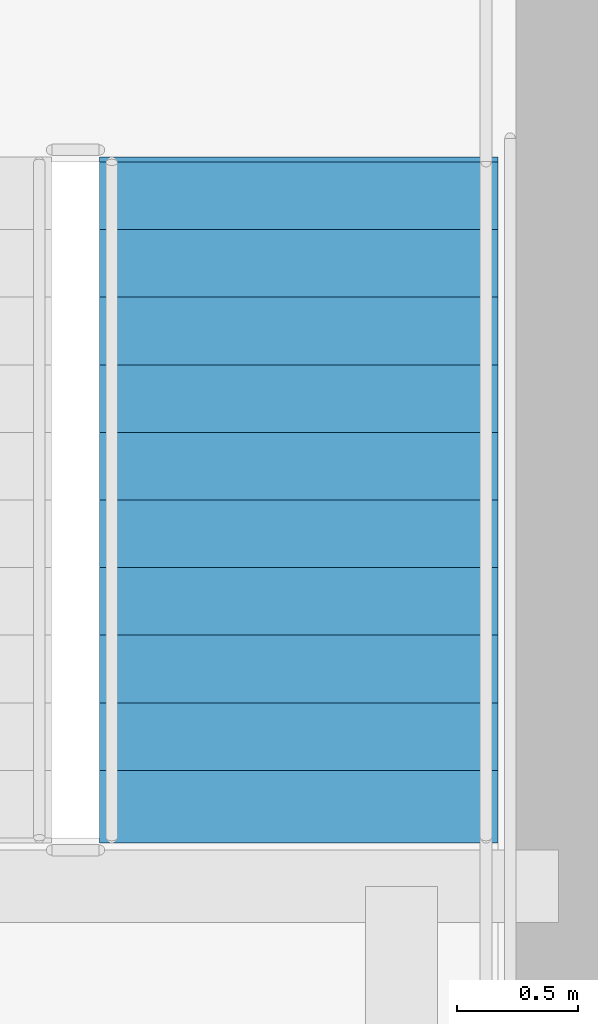
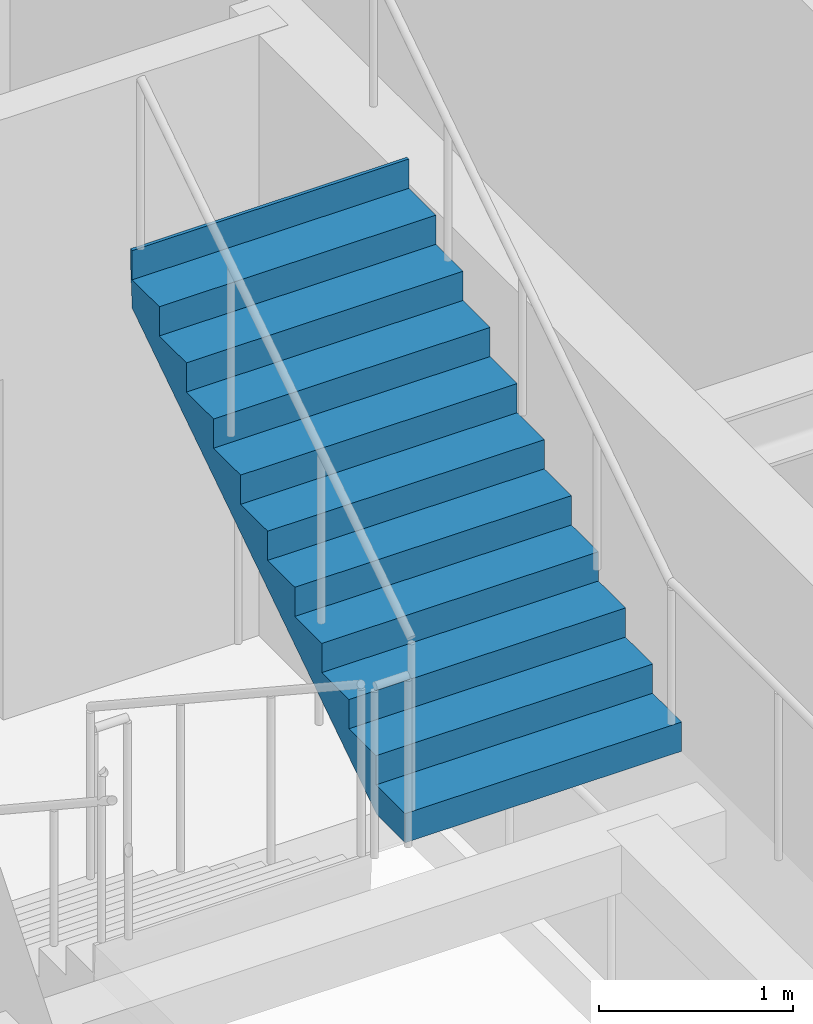
# One storey, part 32 of 37: 1 stair flight, 1 element without a shape of its own.
"""IFC4 building model written with IfcOpenShell, lengths in metres."""

import ifcopenshell
import ifcopenshell.guid

model = None  # the IFC model being written
_history = None  # IfcOwnerHistory: only IFC2X3 demands one
_inside = {}  # id of a spatial element -> (the spatial element, [elements in it])
_under = {}  # id of a project, library or spatial element -> (it, [spatial elements below it])
_declared = {}  # id of a project -> (the project, [libraries it declares])
_typed = {}  # id of a type object -> (the type object, [elements of that type])
_made_of = {}  # id of a material, layer set ... -> (it, [elements and type objects made of it])


def new_model(schema):
    """Start an empty IFC model of exactly this schema.

    Asked for "IFC4X3", IfcOpenShell would pick the latest addendum, in which some entities
    have other attributes; the version numbers below select the first issue.
    IFC2X3 requires an IfcOwnerHistory on every rooted entity: one is made here for all.
    """
    global model, _history
    if schema == "IFC4X3":
        model = ifcopenshell.file(schema_version=(4, 3, 0, 0))
    else:
        model = ifcopenshell.file(schema=schema)
    _inside.clear()
    _under.clear()
    _declared.clear()
    _typed.clear()
    _made_of.clear()
    _history = None
    if model.schema == "IFC2X3":
        org = make("IfcOrganization", Name="unknown")
        user = make(
            "IfcPersonAndOrganization",
            ThePerson=make("IfcPerson", FamilyName="unknown"),
            TheOrganization=org,
        )
        app = make(
            "IfcApplication",
            ApplicationDeveloper=org,
            Version="unknown",
            ApplicationFullName="unknown",
            ApplicationIdentifier="unknown",
        )
        _history = make(
            "IfcOwnerHistory",
            OwningUser=user,
            OwningApplication=app,
            ChangeAction="ADDED",
            CreationDate=0,
        )
    return model


def make(cls, **values):
    """One entity of the class cls with the attributes given. An attribute that is None is left unset."""
    return model.create_entity(
        cls, **{name: value for name, value in values.items() if value is not None}
    )


def rooted(cls, **values):
    """An entity with a GlobalId (a new one), such as an element, a storey or a relation."""
    return make(cls, GlobalId=ifcopenshell.guid.new(), OwnerHistory=_history, **values)


def si_unit(unit_type, name, prefix=None):
    """IfcSIUnit, for example si_unit("LENGTHUNIT", "METRE", prefix="MILLI")."""
    return make("IfcSIUnit", UnitType=unit_type, Prefix=prefix, Name=name)


def assignment(units):
    """IfcUnitAssignment: the units of a project."""
    return None if units is None else make("IfcUnitAssignment", Units=units)


def point(xyz):
    """IfcCartesianPoint."""
    return None if xyz is None else make("IfcCartesianPoint", Coordinates=xyz)


def direction(xyz):
    """IfcDirection."""
    return None if xyz is None else make("IfcDirection", DirectionRatios=xyz)


def frame(location, z_axis=None, x_axis=None):
    """IfcAxis2Placement3D, a coordinate frame: its origin and axes. An axis left out is left unset."""
    return make(
        "IfcAxis2Placement3D",
        Location=point(location),
        Axis=direction(z_axis),
        RefDirection=direction(x_axis),
    )


def origin():
    """The frame at (0, 0, 0) with its axes left unset."""
    return frame((0.0, 0.0, 0.0))


def place(relative_to, where):
    """IfcLocalPlacement: puts the frame where relative to a parent placement (None: the world)."""
    return make(
        "IfcLocalPlacement", PlacementRelTo=relative_to, RelativePlacement=where
    )


def context(
    kind, dimensions, precision=None, world=None, true_north=None, identifier=None
):
    """IfcGeometricRepresentationContext, for example the 3D "Model" context."""
    return make(
        "IfcGeometricRepresentationContext",
        ContextIdentifier=identifier,
        ContextType=kind,
        CoordinateSpaceDimension=dimensions,
        Precision=precision,
        WorldCoordinateSystem=world,
        TrueNorth=true_north,
    )


def subcontext(parent, identifier, kind, view, scale=None):
    """IfcGeometricRepresentationSubContext, for example "Body" below "Model"."""
    return make(
        "IfcGeometricRepresentationSubContext",
        ContextIdentifier=identifier,
        ContextType=kind,
        ParentContext=parent,
        TargetScale=scale,
        TargetView=view,
    )


def project(units=None, contexts=None):
    """IfcProject with its units and contexts."""
    return rooted(
        "IfcProject",
        Name="project",
        RepresentationContexts=contexts,
        UnitsInContext=assignment(units),
    )


def spatial(cls, under=None, at=None, **own):
    """A site, building, storey or space (cls), placed at a placement, below another one or the project."""
    s = rooted(cls, ObjectPlacement=at, **own)
    if under is not None:
        _under.setdefault(under.id(), (under, []))[1].append(s)
    return s


def point_list(points):
    """IfcCartesianPointList2D or 3D."""
    cls = (
        "IfcCartesianPointList2D" if len(points[0]) == 2 else "IfcCartesianPointList3D"
    )
    return make(cls, CoordList=points)


def polygons(points, faces, closed=None, point_numbers=None):
    """IfcPolygonalFaceSet: a face is its outer loop, then its inner loops; points numbered from 1."""
    made = []
    for loops in faces:
        if len(loops) == 1:
            made.append(make("IfcIndexedPolygonalFace", CoordIndex=loops[0]))
        else:
            made.append(
                make(
                    "IfcIndexedPolygonalFaceWithVoids",
                    CoordIndex=loops[0],
                    InnerCoordIndices=loops[1:],
                )
            )
    return make(
        "IfcPolygonalFaceSet",
        Coordinates=point_list(points),
        Closed=closed,
        Faces=made,
        PnIndex=point_numbers,
    )


def shape(context_of_items, identifier, shape_type, items):
    """IfcShapeRepresentation: the items that make up one representation, for example the "Body"."""
    return make(
        "IfcShapeRepresentation",
        ContextOfItems=context_of_items,
        RepresentationIdentifier=identifier,
        RepresentationType=shape_type,
        Items=items,
    )


def material(Name=None, Category=None):
    """IfcMaterial."""
    return make("IfcMaterial", Name=Name, Category=Category)


def made_of(thing, what):
    """Note that an element or type object is made of a material, layer set ...; save() writes the relation."""
    if what is not None:
        _made_of.setdefault(what.id(), (what, []))[1].append(thing)
    return thing


def type_object(cls, material=None, **own):
    """A type object (cls), such as IfcWallType, which elements share."""
    return made_of(rooted(cls, **own), material)


def element(
    cls,
    number,
    at=None,
    inside=None,
    cuts=None,
    type_object=None,
    material=None,
    context=None,
    identifier="Body",
    shape_type=None,
    held_by="IfcProductDefinitionShape",
    body=None,
    shapes=None,
    **own,
):
    """One element of the class cls, such as IfcWall. Its Tag is "e" and its number.

    at: its placement. inside: the storey or other place that contains it. cuts: it is an
    opening in that element (IfcRelVoidsElement). A single representation is given by context,
    identifier, shape_type and body (its items); several are given by shapes. held_by: the class
    of the entity that holds the representations. save() writes the other relations.
    """
    e = rooted(cls, Tag="e%d" % number, ObjectPlacement=at, **own)
    if body is not None:
        shapes = [shape(context, identifier, shape_type, body)]
    if shapes is not None:
        e.Representation = make(held_by, Representations=shapes)
    if inside is not None:
        _inside.setdefault(inside.id(), (inside, []))[1].append(e)
    if cuts is not None:
        rooted(
            "IfcRelVoidsElement", RelatingBuildingElement=cuts, RelatedOpeningElement=e
        )
    if type_object is not None:
        _typed.setdefault(type_object.id(), (type_object, []))[1].append(e)
    return made_of(e, material)


def aggregate(whole, parts):
    """IfcRelAggregates: a whole, such as a stair, and the parts it consists of."""
    return rooted("IfcRelAggregates", RelatingObject=whole, RelatedObjects=parts)


def save(model, path):
    """Write the relations noted so far, then the file.

    IfcRelAggregates (storeys below a building ...), IfcRelContainedInSpatialStructure (elements
    in a storey), IfcRelDefinesByType, IfcRelAssociatesMaterial and IfcRelDeclares: one each for
    every whole, place, type object, material and project.
    """
    for whole, parts in _under.values():
        aggregate(whole, parts)
    for where, things in _inside.values():
        rooted(
            "IfcRelContainedInSpatialStructure",
            RelatedElements=things,
            RelatingStructure=where,
        )
    for kind, things in _typed.values():
        rooted("IfcRelDefinesByType", RelatedObjects=things, RelatingType=kind)
    for what, things in _made_of.values():
        rooted("IfcRelAssociatesMaterial", RelatedObjects=things, RelatingMaterial=what)
    for by, libraries in _declared.values():
        rooted("IfcRelDeclares", RelatingContext=by, RelatedDefinitions=libraries)
    model.write(path)


model = new_model("IFC4")

# Units and contexts
model_context = context("Model", 3, precision=1e-05, world=origin(), true_north=direction((0.0, 1.0)))
body_context = subcontext(model_context, "Body", "Model", "MODEL_VIEW")
ifc_project = project(units=[si_unit("LENGTHUNIT", "METRE"), si_unit("AREAUNIT", "SQUARE_METRE"), si_unit("VOLUMEUNIT", "CUBIC_METRE"), si_unit("PLANEANGLEUNIT", "RADIAN"), si_unit("MASSUNIT", "GRAM", prefix="KILO")], contexts=[model_context])

# Site, building, storey
site_placement = place(None, origin())
site = spatial("IfcSite", under=ifc_project, at=site_placement, CompositionType="ELEMENT")
building_placement = place(site_placement, origin())
building = spatial("IfcBuilding", under=site, at=building_placement, Name="Serunith Strait Residences", CompositionType="ELEMENT")
storey_placement = place(building_placement, frame((0.0, 0.0, 305.60009765625)))
storey = spatial("IfcBuildingStorey", under=building, at=storey_placement, Name="L76", CompositionType="ELEMENT", Elevation=305.60009765625)

# Stair, stair flight
ifc_material = material(Name="Concrete C50/60", Category="concrete")
stair_type = type_object("IfcStairType", Name="STR-CORE-2", PredefinedType="HALF_TURN_STAIR", material=ifc_material)
stair_placement = place(storey_placement, origin())
stair = element("IfcStair", 1, at=stair_placement, inside=storey, type_object=stair_type, Name="L76 Protected Escape Stair ST-2", PredefinedType="HALF_TURN_STAIR")
stair_flight_type = type_object("IfcStairFlightType", Name="FLT-CORE-2", PredefinedType="STRAIGHT", material=ifc_material)
stair_flight_placement = place(storey_placement, frame((40.324951171875, 20.570068359375, 2.02490234375), z_axis=(0.0, 0.0, 1.0), x_axis=(0.0, 1.0, 0.0)))
stair_flight = element("IfcStairFlight", 2, at=stair_flight_placement, type_object=stair_flight_type, Name="ST-2 flight 2", NumberOfRisers=11, NumberOfTreads=10, PredefinedType="STRAIGHT", RiserHeight=0.184090909, TreadLength=0.28, context=body_context, shape_type="Tessellation", body=[
    polygons([(-0.02001953125, -0.824951171875, 0.0), (-0.02001953125, -0.824951171875, 0.18408203125), (0.280029296875, -0.824951171875, 0.18408203125), (0.280029296875, -0.824951171875, 0.3681640625), (0.56005859375, -0.824951171875, 0.3681640625), (0.56005859375, -0.824951171875, 0.55224609375), (0.840087890625, -0.824951171875, 0.55224609375), (0.840087890625, -0.824951171875, 0.736328125), (1.1201171875, -0.824951171875, 0.736328125), (1.1201171875, -0.824951171875, 0.92041015625), (1.39990234375, -0.824951171875, 0.92041015625), (1.39990234375, -0.824951171875, 1.1044921875), (1.679931640625, -0.824951171875, 1.1044921875), (1.679931640625, -0.824951171875, 1.28857421875), (1.9599609375, -0.824951171875, 1.28857421875), (1.9599609375, -0.824951171875, 1.47265625), (2.239990234375, -0.824951171875, 1.47265625), (2.239990234375, -0.824951171875, 1.65673828125), (2.52001953125, -0.824951171875, 1.65673828125), (2.52001953125, -0.824951171875, 1.8408203125), (2.800048828125, -0.824951171875, 1.8408203125), (2.800048828125, -0.824951171875, 2.02490234375), (2.820068359375, -0.824951171875, 2.02490234375), (2.820068359375, -0.824951171875, 1.965087890625), (2.800048828125, -0.824951171875, 1.66162109375), (0.27294921875, -0.824951171875, 0.0), (-0.02001953125, -0.41259765625, 0.0), (-0.02001953125, -0.41259765625, 0.18408203125), (0.280029296875, -0.41259765625, 0.18408203125), (0.280029296875, -0.41259765625, 0.3681640625), (0.56005859375, -0.41259765625, 0.3681640625), (0.56005859375, -0.41259765625, 0.55224609375), (0.840087890625, -0.41259765625, 0.55224609375), (0.840087890625, -0.41259765625, 0.736328125), (1.1201171875, -0.41259765625, 0.736328125), (1.1201171875, -0.41259765625, 0.92041015625), (1.39990234375, -0.41259765625, 0.92041015625), (1.39990234375, -0.41259765625, 1.1044921875), (1.679931640625, -0.41259765625, 1.1044921875), (1.679931640625, -0.41259765625, 1.28857421875), (1.9599609375, -0.41259765625, 1.28857421875), (1.9599609375, -0.41259765625, 1.47265625), (2.239990234375, -0.41259765625, 1.47265625), (2.239990234375, -0.41259765625, 1.65673828125), (2.52001953125, -0.41259765625, 1.65673828125), (2.52001953125, -0.41259765625, 1.8408203125), (2.800048828125, -0.41259765625, 1.8408203125), (2.800048828125, -0.41259765625, 2.02490234375), (2.820068359375, -0.41259765625, 2.02490234375), (2.820068359375, -0.41259765625, 1.965087890625), (2.800048828125, -0.41259765625, 1.66162109375), (0.27294921875, -0.41259765625, 0.0), (-0.02001953125, 0.0, 0.0), (-0.02001953125, 0.0, 0.18408203125), (0.280029296875, 0.0, 0.18408203125), (0.280029296875, 0.0, 0.3681640625), (0.56005859375, 0.0, 0.3681640625), (0.56005859375, 0.0, 0.55224609375), (0.840087890625, 0.0, 0.55224609375), (0.840087890625, 0.0, 0.736328125), (1.1201171875, 0.0, 0.736328125), (1.1201171875, 0.0, 0.92041015625), (1.39990234375, 0.0, 0.92041015625), (1.39990234375, 0.0, 1.1044921875), (1.679931640625, 0.0, 1.1044921875), (1.679931640625, 0.0, 1.28857421875), (1.9599609375, 0.0, 1.28857421875), (1.9599609375, 0.0, 1.47265625), (2.239990234375, 0.0, 1.47265625), (2.239990234375, 0.0, 1.65673828125), (2.52001953125, 0.0, 1.65673828125), (2.52001953125, 0.0, 1.8408203125), (2.800048828125, 0.0, 1.8408203125), (2.800048828125, 0.0, 2.02490234375), (2.820068359375, 0.0, 2.02490234375), (2.820068359375, 0.0, 1.965087890625), (2.800048828125, 0.0, 1.66162109375), (0.27294921875, 0.0, 0.0), (-0.02001953125, 0.41259765625, 0.0), (-0.02001953125, 0.41259765625, 0.18408203125), (0.280029296875, 0.41259765625, 0.18408203125), (0.280029296875, 0.41259765625, 0.3681640625), (0.56005859375, 0.41259765625, 0.3681640625), (0.56005859375, 0.41259765625, 0.55224609375), (0.840087890625, 0.41259765625, 0.55224609375), (0.840087890625, 0.41259765625, 0.736328125), (1.1201171875, 0.41259765625, 0.736328125), (1.1201171875, 0.41259765625, 0.92041015625), (1.39990234375, 0.41259765625, 0.92041015625), (1.39990234375, 0.41259765625, 1.1044921875), (1.679931640625, 0.41259765625, 1.1044921875), (1.679931640625, 0.41259765625, 1.28857421875), (1.9599609375, 0.41259765625, 1.28857421875), (1.9599609375, 0.41259765625, 1.47265625), (2.239990234375, 0.41259765625, 1.47265625), (2.239990234375, 0.41259765625, 1.65673828125), (2.52001953125, 0.41259765625, 1.65673828125), (2.52001953125, 0.41259765625, 1.8408203125), (2.800048828125, 0.41259765625, 1.8408203125), (2.800048828125, 0.41259765625, 2.02490234375), (2.820068359375, 0.41259765625, 2.02490234375), (2.820068359375, 0.41259765625, 1.965087890625), (2.800048828125, 0.41259765625, 1.66162109375), (0.27294921875, 0.41259765625, 0.0), (-0.02001953125, 0.824951171875, 0.0), (-0.02001953125, 0.824951171875, 0.18408203125), (0.280029296875, 0.824951171875, 0.18408203125), (0.280029296875, 0.824951171875, 0.3681640625), (0.56005859375, 0.824951171875, 0.3681640625), (0.56005859375, 0.824951171875, 0.55224609375), (0.840087890625, 0.824951171875, 0.55224609375), (0.840087890625, 0.824951171875, 0.736328125), (1.1201171875, 0.824951171875, 0.736328125), (1.1201171875, 0.824951171875, 0.92041015625), (1.39990234375, 0.824951171875, 0.92041015625), (1.39990234375, 0.824951171875, 1.1044921875), (1.679931640625, 0.824951171875, 1.1044921875), (1.679931640625, 0.824951171875, 1.28857421875), (1.9599609375, 0.824951171875, 1.28857421875), (1.9599609375, 0.824951171875, 1.47265625), (2.239990234375, 0.824951171875, 1.47265625), (2.239990234375, 0.824951171875, 1.65673828125), (2.52001953125, 0.824951171875, 1.65673828125), (2.52001953125, 0.824951171875, 1.8408203125), (2.800048828125, 0.824951171875, 1.8408203125), (2.800048828125, 0.824951171875, 2.02490234375), (2.820068359375, 0.824951171875, 2.02490234375), (2.820068359375, 0.824951171875, 1.965087890625), (2.800048828125, 0.824951171875, 1.66162109375), (0.27294921875, 0.824951171875, 0.0)], [[[1, 2, 28, 27]], [[2, 3, 29, 28]], [[3, 4, 30, 29]], [[4, 5, 31, 30]], [[5, 6, 32, 31]], [[6, 7, 33, 32]], [[7, 8, 34, 33]], [[8, 9, 35, 34]], [[9, 10, 36, 35]], [[10, 11, 37, 36]], [[11, 12, 38, 37]], [[12, 13, 39, 38]], [[13, 14, 40, 39]], [[14, 15, 41, 40]], [[15, 16, 42, 41]], [[16, 17, 43, 42]], [[17, 18, 44, 43]], [[18, 19, 45, 44]], [[19, 20, 46, 45]], [[20, 21, 47, 46]], [[21, 22, 48, 47]], [[22, 23, 49, 48]], [[23, 24, 50, 49]], [[24, 25, 51, 50]], [[25, 26, 52, 51]], [[26, 1, 27, 52]], [[27, 28, 54, 53]], [[28, 29, 55, 54]], [[29, 30, 56, 55]], [[30, 31, 57, 56]], [[31, 32, 58, 57]], [[32, 33, 59, 58]], [[33, 34, 60, 59]], [[34, 35, 61, 60]], [[35, 36, 62, 61]], [[36, 37, 63, 62]], [[37, 38, 64, 63]], [[38, 39, 65, 64]], [[39, 40, 66, 65]], [[40, 41, 67, 66]], [[41, 42, 68, 67]], [[42, 43, 69, 68]], [[43, 44, 70, 69]], [[44, 45, 71, 70]], [[45, 46, 72, 71]], [[46, 47, 73, 72]], [[47, 48, 74, 73]], [[48, 49, 75, 74]], [[49, 50, 76, 75]], [[50, 51, 77, 76]], [[51, 52, 78, 77]], [[52, 27, 53, 78]], [[53, 54, 80, 79]], [[54, 55, 81, 80]], [[55, 56, 82, 81]], [[56, 57, 83, 82]], [[57, 58, 84, 83]], [[58, 59, 85, 84]], [[59, 60, 86, 85]], [[60, 61, 87, 86]], [[61, 62, 88, 87]], [[62, 63, 89, 88]], [[63, 64, 90, 89]], [[64, 65, 91, 90]], [[65, 66, 92, 91]], [[66, 67, 93, 92]], [[67, 68, 94, 93]], [[68, 69, 95, 94]], [[69, 70, 96, 95]], [[70, 71, 97, 96]], [[71, 72, 98, 97]], [[72, 73, 99, 98]], [[73, 74, 100, 99]], [[74, 75, 101, 100]], [[75, 76, 102, 101]], [[76, 77, 103, 102]], [[77, 78, 104, 103]], [[78, 53, 79, 104]], [[79, 80, 106, 105]], [[80, 81, 107, 106]], [[81, 82, 108, 107]], [[82, 83, 109, 108]], [[83, 84, 110, 109]], [[84, 85, 111, 110]], [[85, 86, 112, 111]], [[86, 87, 113, 112]], [[87, 88, 114, 113]], [[88, 89, 115, 114]], [[89, 90, 116, 115]], [[90, 91, 117, 116]], [[91, 92, 118, 117]], [[92, 93, 119, 118]], [[93, 94, 120, 119]], [[94, 95, 121, 120]], [[95, 96, 122, 121]], [[96, 97, 123, 122]], [[97, 98, 124, 123]], [[98, 99, 125, 124]], [[99, 100, 126, 125]], [[100, 101, 127, 126]], [[101, 102, 128, 127]], [[102, 103, 129, 128]], [[103, 104, 130, 129]], [[104, 79, 105, 130]], [[26, 25, 24, 23, 22, 21, 20, 19, 18, 17, 16, 15, 14, 13, 12, 11, 10, 9, 8, 7, 6, 5, 4, 3, 2, 1]], [[105, 106, 107, 108, 109, 110, 111, 112, 113, 114, 115, 116, 117, 118, 119, 120, 121, 122, 123, 124, 125, 126, 127, 128, 129, 130]]], closed=True),
])
aggregate(stair, [stair_flight])

save(model, "model.ifc")
